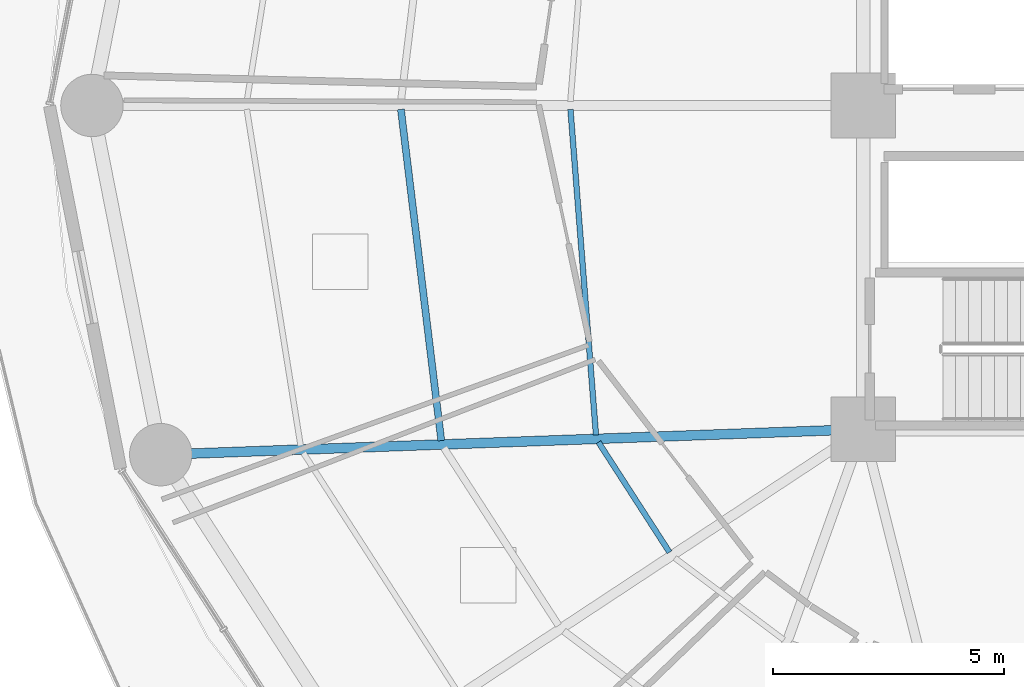
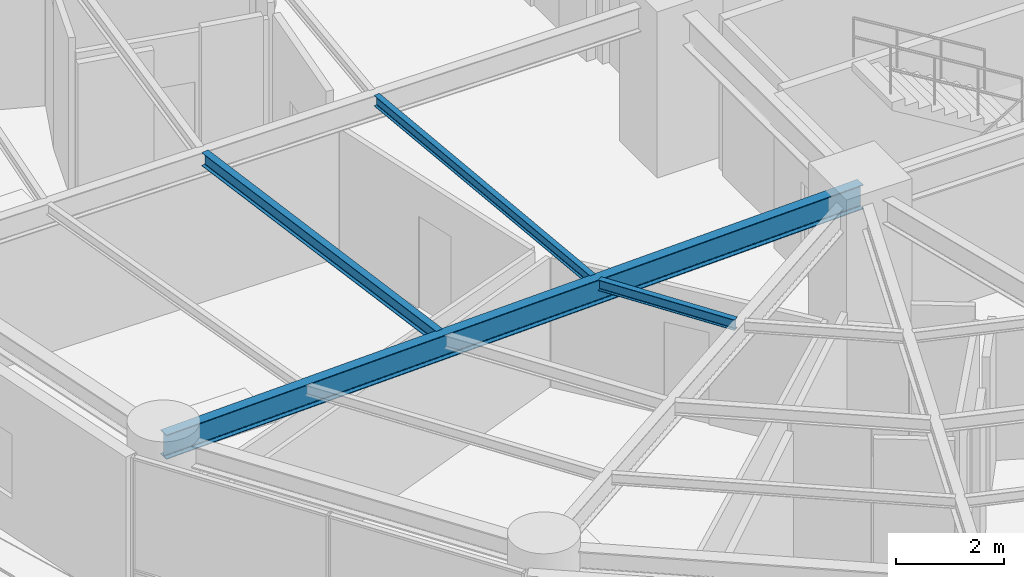
# One storey, part 5 of 34: 4 beams.
"""IFC4 building model written with IfcOpenShell, lengths in metres."""

from ifc_helpers import new_model, si_unit, direction, frame, origin, origin_2d, place, context, subcontext, project, spatial, i_section, extrude, material, material_profile, profile_set, type_object, element, save


model = new_model("IFC4")

# Units and contexts
model_context = context("Model", 3, precision=1e-05, world=origin(), true_north=direction((0.0, 1.0)))
body_context = subcontext(model_context, "Body", "Model", "MODEL_VIEW")
ifc_project = project(units=[si_unit("LENGTHUNIT", "METRE"), si_unit("AREAUNIT", "SQUARE_METRE"), si_unit("VOLUMEUNIT", "CUBIC_METRE"), si_unit("PLANEANGLEUNIT", "RADIAN"), si_unit("MASSUNIT", "GRAM", prefix="KILO")], contexts=[model_context])

# Site, building, storey
site_placement = place(None, origin())
site = spatial("IfcSite", under=ifc_project, at=site_placement, CompositionType="ELEMENT")
building_placement = place(site_placement, origin())
building = spatial("IfcBuilding", under=site, at=building_placement, Name="Kelanora Arch Commons", CompositionType="ELEMENT")
storey_placement = place(building_placement, frame((0.0, 0.0, 76.35009765625)))
storey = spatial("IfcBuildingStorey", under=building, at=storey_placement, Name="L19", CompositionType="ELEMENT", Elevation=76.35009765625)

# Beams
ifc_material = material(Name="Steel S355", Category="steel")
ifc_material_profile_1 = material_profile(ifc_material, i_section(OverallWidth=0.14990234375, OverallDepth=0.300048828125, WebThickness=0.007080078125, FlangeThickness=0.0107421875, FilletRadius=0.014892578125, at=origin_2d()), Name="IPE300")
ifc_profile_set_1 = profile_set([ifc_material_profile_1], Name="Steel S355")
beam_type_1 = type_object("IfcBeamType", Name="BM-JST-01", PredefinedType="JOIST", material=ifc_profile_set_1)
beam_1_placement = place(storey_placement, frame((56.002197265625, 57.91552734375, 3.33984375), z_axis=(0.120935645266, -0.992660349618, 0.0), x_axis=(0.992660349618, 0.120935645266, 0.0)))
element("IfcBeam", 1, at=beam_1_placement, inside=storey, type_object=beam_type_1, Name="Secondary Chord Joist BJB-18 L19", PredefinedType="JOIST", context=body_context, shape_type="SweptSolid", body=[
    extrude(i_section(OverallWidth=0.14990234375, OverallDepth=0.300048828125, WebThickness=0.007080078125, FlangeThickness=0.0107421875, FilletRadius=0.014892578125, at=origin_2d()), origin(), (0.0, 0.0, 1.0), 7.215087890625),
])
ifc_material_profile_2 = material_profile(ifc_material, i_section(OverallWidth=0.1201171875, OverallDepth=0.239990234375, WebThickness=0.006103515625, FlangeThickness=0.009765625, FilletRadius=0.014892578125, at=origin_2d()), Name="IPE240")
ifc_profile_set_2 = profile_set([ifc_material_profile_2], Name="Steel S355")
beam_type_2 = type_object("IfcBeamType", Name="BM-JST-02", PredefinedType="JOIST", material=ifc_profile_set_2)
beam_2_placement = place(storey_placement, frame((59.668212890625, 57.915283203125, 3.369873046875), z_axis=(0.078200677502, -0.996937637989, 0.0), x_axis=(0.996937637989, 0.078200677502, 0.0)))
element("IfcBeam", 2, at=beam_2_placement, inside=storey, type_object=beam_type_2, Name="Secondary Chord Joist BJA-18 L19", PredefinedType="JOIST", context=body_context, shape_type="SweptSolid", body=[
    extrude(i_section(OverallWidth=0.1201171875, OverallDepth=0.239990234375, WebThickness=0.006103515625, FlangeThickness=0.009765625, FilletRadius=0.014892578125, at=origin_2d()), origin(), (0.0, 0.0, 1.0), 7.06201171875),
])
beam_3_placement = place(storey_placement, frame((60.273193359375, 50.718994140625, 3.369873046875), z_axis=(0.542211255502, -0.840242199849, 0.0), x_axis=(0.840242199849, 0.542211255502, 0.0)))
element("IfcBeam", 3, at=beam_3_placement, inside=storey, type_object=beam_type_2, Name="Secondary Chord Joist BJA-20 L19", PredefinedType="JOIST", context=body_context, shape_type="SweptSolid", body=[
    extrude(i_section(OverallWidth=0.1201171875, OverallDepth=0.239990234375, WebThickness=0.006103515625, FlangeThickness=0.009765625, FilletRadius=0.014892578125, at=origin_2d()), origin(), (0.0, 0.0, 1.0), 2.83349609375),
])
ifc_material_profile_3 = material_profile(ifc_material, i_section(OverallWidth=0.2099609375, OverallDepth=0.550048828125, WebThickness=0.010986328125, FlangeThickness=0.01708984375, FilletRadius=0.02392578125, at=origin_2d()), Name="IPE550")
ifc_profile_set_3 = profile_set([ifc_material_profile_3], Name="Steel S355")
beam_type_3 = type_object("IfcBeamType", Name="BM-RAD-Z2", PredefinedType="BEAM", material=ifc_profile_set_3)
beam_4_placement = place(storey_placement, frame((66.0, 51.0, 3.21484375), z_axis=(-0.999341087625, -0.036295875581, 0.0), x_axis=(0.036295875581, -0.999341087625, 0.0)))
element("IfcBeam", 4, at=beam_4_placement, inside=storey, type_object=beam_type_3, Name="Radial Floor Girder BR-20 L19", PredefinedType="BEAM", context=body_context, shape_type="SweptSolid", body=[
    extrude(i_section(OverallWidth=0.2099609375, OverallDepth=0.550048828125, WebThickness=0.010986328125, FlangeThickness=0.01708984375, FilletRadius=0.02392578125, at=origin_2d()), origin(), (0.0, 0.0, 1.0), 15.20166015625),
])

save(model, "model.ifc")
